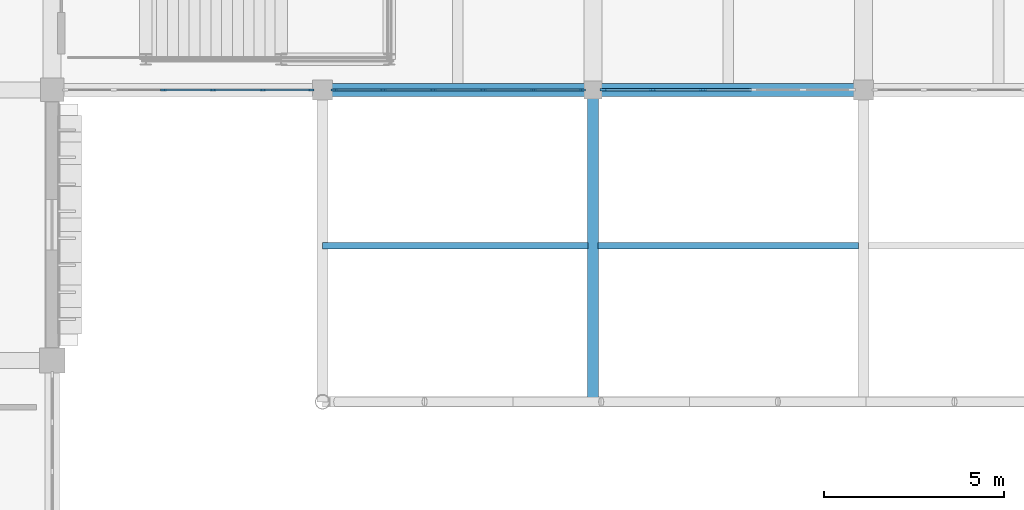
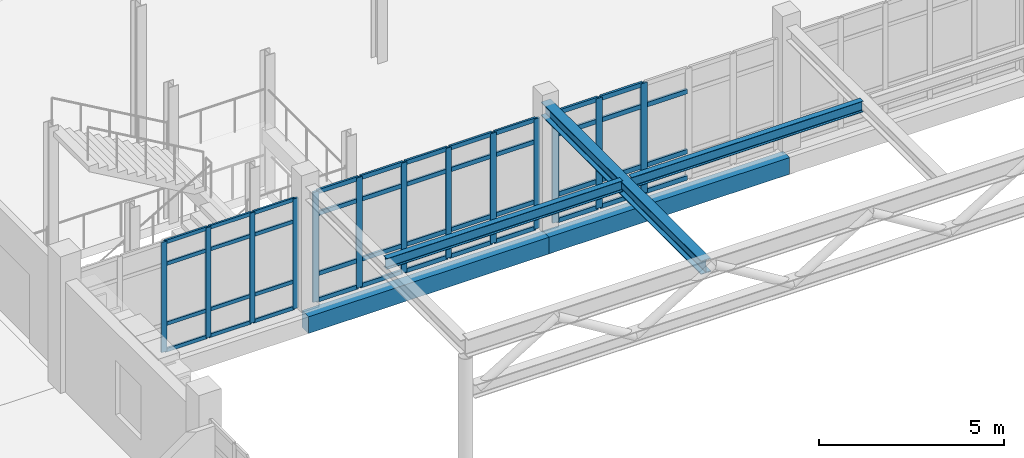
# One storey, part 27 of 128: 56 members, 5 beams, 3 elements without a shape of their own.
"""IFC4 building model written with IfcOpenShell, lengths in metres."""

from ifc_helpers import new_model, si_unit, direction, frame, origin, origin_2d, place, context, subcontext, project, spatial, rectangle, i_section, extrude, material, layer, layer_set, material_profile, profile_set, type_object, element, aggregate, save


model = new_model("IFC4")

# Units and contexts
model_context = context("Model", 3, precision=1e-05, world=origin(), true_north=direction((0.0, 1.0)))
body_context = subcontext(model_context, "Body", "Model", "MODEL_VIEW")
ifc_project = project(units=[si_unit("LENGTHUNIT", "METRE"), si_unit("AREAUNIT", "SQUARE_METRE"), si_unit("VOLUMEUNIT", "CUBIC_METRE"), si_unit("PLANEANGLEUNIT", "RADIAN"), si_unit("MASSUNIT", "GRAM", prefix="KILO")], contexts=[model_context])

# Site, building, storey
site_placement = place(None, origin())
site = spatial("IfcSite", under=ifc_project, at=site_placement, CompositionType="ELEMENT")
building_placement = place(site_placement, origin())
building = spatial("IfcBuilding", under=site, at=building_placement, Name="Dalvernix Boulevard General Hospital", CompositionType="ELEMENT")
storey_placement = place(building_placement, frame((0.0, 0.0, 4.800048828125)))
storey = spatial("IfcBuildingStorey", under=building, at=storey_placement, Name="L01", CompositionType="ELEMENT", Elevation=4.800048828125)

# Beams
ifc_material_1 = material(Name="Steel S355", Category="steel")
ifc_material_profile_1 = material_profile(ifc_material_1, i_section(OverallWidth=0.300048828125, OverallDepth=0.449951171875, WebThickness=0.013916015625, FlangeThickness=0.02587890625, FilletRadius=0.027099609375, at=origin_2d()), Name="HEB 450")
ifc_profile_set_1 = profile_set([ifc_material_profile_1], Name="Steel S355")
beam_type_1 = type_object("IfcBeamType", Name="BM-RB-03", PredefinedType="BEAM", material=ifc_profile_set_1)
beam_1_placement = place(storey_placement, frame((75.0, 22.5, 3.8798828125), z_axis=(0.0, -1.0, 0.0), x_axis=(1.0, 0.0, 0.0)))
element("IfcBeam", 1, at=beam_1_placement, inside=storey, type_object=beam_type_1, Name="Porte-cochere canopy girder 2", PredefinedType="BEAM", context=body_context, shape_type="SweptSolid", body=[
    extrude(i_section(OverallWidth=0.300048828125, OverallDepth=0.449951171875, WebThickness=0.013916015625, FlangeThickness=0.02587890625, FilletRadius=0.027099609375, at=origin_2d()), origin(), (0.0, 0.0, 1.0), 8.64990234375),
])
ifc_material_profile_2 = material_profile(ifc_material_1, i_section(OverallWidth=0.169921875, OverallDepth=0.360107421875, WebThickness=0.008056640625, FlangeThickness=0.0126953125, FilletRadius=0.01806640625, at=origin_2d()), Name="IPE 360")
ifc_profile_set_2 = profile_set([ifc_material_profile_2], Name="Steel S355")
beam_type_2 = type_object("IfcBeamType", Name="BM-RB-08", PredefinedType="BEAM", material=ifc_profile_set_2)
beam_2_placement = place(storey_placement, frame((67.5, 18.179931640625, 4.0), z_axis=(1.0, 0.0, 0.0), x_axis=(0.0, 1.0, 0.0)))
element("IfcBeam", 2, at=beam_2_placement, inside=storey, type_object=beam_type_2, Name="Porte-cochere canopy purlin 1", PredefinedType="BEAM", context=body_context, shape_type="SweptSolid", body=[
    extrude(i_section(OverallWidth=0.169921875, OverallDepth=0.360107421875, WebThickness=0.008056640625, FlangeThickness=0.0126953125, FilletRadius=0.01806640625, at=origin_2d()), origin(), (0.0, 0.0, 1.0), 7.35791015625),
])
beam_3_placement = place(storey_placement, frame((75.14208984375, 18.179931640625, 4.0), z_axis=(1.0, 0.0, 0.0), x_axis=(0.0, 1.0, 0.0)))
element("IfcBeam", 3, at=beam_3_placement, inside=storey, type_object=beam_type_2, Name="Porte-cochere canopy purlin 2", PredefinedType="BEAM", context=body_context, shape_type="SweptSolid", body=[
    extrude(i_section(OverallWidth=0.169921875, OverallDepth=0.360107421875, WebThickness=0.008056640625, FlangeThickness=0.0126953125, FilletRadius=0.01806640625, at=origin_2d()), origin(), (0.0, 0.0, 1.0), 7.2158203125),
])
ifc_material_2 = material(Name="Concrete C35/45", Category="concrete")
ifc_material_profile_3 = material_profile(ifc_material_2, rectangle(XDim=0.35009765625, YDim=0.550048828125, at=origin_2d()), Name="RCB 350x550")
ifc_profile_set_3 = profile_set([ifc_material_profile_3], Name="Concrete C35/45")
beam_type_3 = type_object("IfcBeamType", Name="BM-SB-01-E", PredefinedType="SPANDREL", material=ifc_profile_set_3)
for number, where, z_axis, x_axis, name in (
    (4, (67.5, 22.5, -0.574951171875), (1.0, 0.0, 0.0), (0.0, 1.0, 0.0), "L01 E-W girder D:10-11"),
    (5, (75.0, 22.5, -0.574951171875), (1.0, 0.0, 0.0), (0.0, 1.0, 0.0), "L01 E-W girder D:11-12"),
):
    element("IfcBeam", number, at=place(storey_placement, frame(where, z_axis=z_axis, x_axis=x_axis)), inside=storey, type_object=beam_type_3, Name=name, PredefinedType="SPANDREL", context=body_context, shape_type="SweptSolid", body=[
        extrude(rectangle(XDim=0.35009765625, YDim=0.550048828125, at=origin_2d()), origin(), (0.0, 0.0, 1.0), 7.5),
    ])

# Curtain wall, members
ifc_material_3 = material(Name="Thermally broken aluminium and solar-control glass curtain wall", Category="aluminium")
ifc_layer_1 = layer(ifc_material_3, 0.159912109375)
ifc_layer_set_1 = layer_set([ifc_layer_1], Name="Thermally broken aluminium and solar-control glass curtain wall (CW-CW-A-69x36)")
curtain_wall_type_1 = type_object("IfcCurtainWallType", Name="CW-CW-A-69x36", PredefinedType="USERDEFINED", material=ifc_layer_set_1)
curtain_wall_1_placement = place(storey_placement, origin())
curtain_wall_1 = element("IfcCurtainWall", 6, at=curtain_wall_1_placement, inside=storey, type_object=curtain_wall_type_1, Name="L01 curtain wall CW-A-69x36 8-3", ObjectType="GLAZED FACADE", PredefinedType="USERDEFINED")
ifc_material_4 = material(Name="Aluminium EN AW-6060", Category="aluminium")
ifc_material_profile_4 = material_profile(ifc_material_4, rectangle(XDim=0.06005859375, YDim=0.159912109375, at=origin_2d()), Name="ALU MULL 60x160")
ifc_profile_set_4 = profile_set([ifc_material_profile_4], Name="Aluminium EN AW-6060")
member_type_1 = type_object("IfcMemberType", Name="MEM-CW-M1", PredefinedType="MULLION", material=ifc_profile_set_4)
member_1_placement = place(storey_placement, frame((67.18505859375, 22.5, 0.0), z_axis=(0.0, 0.0, 1.0), x_axis=(0.0, -1.0, 0.0)))
member_1 = element("IfcMember", 7, at=member_1_placement, type_object=member_type_1, Name="CW-A-69x36 mullion 1", PredefinedType="MULLION", context=body_context, shape_type="SweptSolid", body=[
    extrude(rectangle(XDim=0.06005859375, YDim=0.159912109375, at=origin_2d()), origin(), (0.0, 0.0, 1.0), 3.6298828125),
])
member_2_placement = place(storey_placement, frame((65.839111328125, 22.5, 0.0), z_axis=(0.0, 0.0, 1.0), x_axis=(0.0, -1.0, 0.0)))
member_2 = element("IfcMember", 8, at=member_2_placement, type_object=member_type_1, Name="CW-A-69x36 mullion 2", PredefinedType="MULLION", context=body_context, shape_type="SweptSolid", body=[
    extrude(rectangle(XDim=0.06005859375, YDim=0.159912109375, at=origin_2d()), origin(), (0.0, 0.0, 1.0), 3.6298828125),
])
member_3_placement = place(storey_placement, frame((64.462890625, 22.5, 0.0), z_axis=(0.0, 0.0, 1.0), x_axis=(0.0, -1.0, 0.0)))
member_3 = element("IfcMember", 9, at=member_3_placement, type_object=member_type_1, Name="CW-A-69x36 mullion 3", PredefinedType="MULLION", context=body_context, shape_type="SweptSolid", body=[
    extrude(rectangle(XDim=0.06005859375, YDim=0.159912109375, at=origin_2d()), origin(), (0.0, 0.0, 1.0), 3.6298828125),
])
member_4_placement = place(storey_placement, frame((63.0869140625, 22.5, 0.0), z_axis=(0.0, 0.0, 1.0), x_axis=(0.0, -1.0, 0.0)))
member_4 = element("IfcMember", 10, at=member_4_placement, type_object=member_type_1, Name="CW-A-69x36 mullion 4", PredefinedType="MULLION", context=body_context, shape_type="SweptSolid", body=[
    extrude(rectangle(XDim=0.06005859375, YDim=0.159912109375, at=origin_2d()), origin(), (0.0, 0.0, 1.0), 3.6298828125),
])

ifc_layer_2 = layer(ifc_material_3, 0.179931640625)
ifc_layer_set_2 = layer_set([ifc_layer_2], Name="Thermally broken aluminium and solar-control glass curtain wall (CW-CW-B-70x36)")
curtain_wall_type_2 = type_object("IfcCurtainWallType", Name="CW-CW-B-70x36", PredefinedType="USERDEFINED", material=ifc_layer_set_2)
curtain_wall_2_placement = place(storey_placement, origin())
curtain_wall_2 = element("IfcCurtainWall", 11, at=curtain_wall_2_placement, inside=storey, type_object=curtain_wall_type_2, Name="L01 curtain wall CW-B-70x36 9-3", ObjectType="GLAZED FACADE", PredefinedType="USERDEFINED")
ifc_material_profile_5 = material_profile(ifc_material_4, rectangle(XDim=0.06494140625, YDim=0.179931640625, at=origin_2d()), Name="ALU MULL 65x180")
ifc_profile_set_5 = profile_set([ifc_material_profile_5], Name="Aluminium EN AW-6060")
member_type_2 = type_object("IfcMemberType", Name="MEM-CW-M2", PredefinedType="MULLION", material=ifc_profile_set_5)
member_5_placement = place(storey_placement, frame((74.70751953125, 22.5, 0.0), z_axis=(0.0, 0.0, 1.0), x_axis=(0.0, -1.0, 0.0)))
member_5 = element("IfcMember", 12, at=member_5_placement, type_object=member_type_2, Name="CW-B-70x36 mullion 1", PredefinedType="MULLION", context=body_context, shape_type="SweptSolid", body=[
    extrude(rectangle(XDim=0.06494140625, YDim=0.179931640625, at=origin_2d()), origin(), (0.0, 0.0, 1.0), 3.6298828125),
])
member_6_placement = place(storey_placement, frame((73.34912109375, 22.5, 0.0), z_axis=(0.0, 0.0, 1.0), x_axis=(0.0, -1.0, 0.0)))
member_6 = element("IfcMember", 13, at=member_6_placement, type_object=member_type_2, Name="CW-B-70x36 mullion 2", PredefinedType="MULLION", context=body_context, shape_type="SweptSolid", body=[
    extrude(rectangle(XDim=0.06494140625, YDim=0.179931640625, at=origin_2d()), origin(), (0.0, 0.0, 1.0), 3.6298828125),
])
member_7_placement = place(storey_placement, frame((71.9580078125, 22.5, 0.0), z_axis=(0.0, 0.0, 1.0), x_axis=(0.0, -1.0, 0.0)))
member_7 = element("IfcMember", 14, at=member_7_placement, type_object=member_type_2, Name="CW-B-70x36 mullion 3", PredefinedType="MULLION", context=body_context, shape_type="SweptSolid", body=[
    extrude(rectangle(XDim=0.06494140625, YDim=0.179931640625, at=origin_2d()), origin(), (0.0, 0.0, 1.0), 3.6298828125),
])
member_8_placement = place(storey_placement, frame((70.56689453125, 22.5, 0.0), z_axis=(0.0, 0.0, 1.0), x_axis=(0.0, -1.0, 0.0)))
member_8 = element("IfcMember", 15, at=member_8_placement, type_object=member_type_2, Name="CW-B-70x36 mullion 4", PredefinedType="MULLION", context=body_context, shape_type="SweptSolid", body=[
    extrude(rectangle(XDim=0.06494140625, YDim=0.179931640625, at=origin_2d()), origin(), (0.0, 0.0, 1.0), 3.6298828125),
])
member_9_placement = place(storey_placement, frame((69.176025390625, 22.5, 0.0), z_axis=(0.0, 0.0, 1.0), x_axis=(0.0, -1.0, 0.0)))
member_9 = element("IfcMember", 16, at=member_9_placement, type_object=member_type_2, Name="CW-B-70x36 mullion 5", PredefinedType="MULLION", context=body_context, shape_type="SweptSolid", body=[
    extrude(rectangle(XDim=0.06494140625, YDim=0.179931640625, at=origin_2d()), origin(), (0.0, 0.0, 1.0), 3.6298828125),
])
member_10_placement = place(storey_placement, frame((67.8173828125, 22.5, 0.0), z_axis=(0.0, 0.0, 1.0), x_axis=(0.0, -1.0, 0.0)))
member_10 = element("IfcMember", 17, at=member_10_placement, type_object=member_type_2, Name="CW-B-70x36 mullion 6", PredefinedType="MULLION", context=body_context, shape_type="SweptSolid", body=[
    extrude(rectangle(XDim=0.06494140625, YDim=0.179931640625, at=origin_2d()), origin(), (0.0, 0.0, 1.0), 3.6298828125),
])

ifc_layer_3 = layer(ifc_material_3, 0.199951171875)
ifc_layer_set_3 = layer_set([ifc_layer_3], Name="Thermally broken aluminium and solar-control glass curtain wall (CW-CW-C-70x36)")
curtain_wall_type_3 = type_object("IfcCurtainWallType", Name="CW-CW-C-70x36", PredefinedType="USERDEFINED", material=ifc_layer_set_3)
curtain_wall_3_placement = place(storey_placement, origin())
curtain_wall_3 = element("IfcCurtainWall", 18, at=curtain_wall_3_placement, inside=storey, type_object=curtain_wall_type_3, Name="L01 curtain wall CW-C-70x36 10-3", ObjectType="GLAZED FACADE", PredefinedType="USERDEFINED")
ifc_material_profile_6 = material_profile(ifc_material_4, rectangle(XDim=0.070068359375, YDim=0.199951171875, at=origin_2d()), Name="ALU MULL 70x200")
ifc_profile_set_6 = profile_set([ifc_material_profile_6], Name="Aluminium EN AW-6060")
member_type_3 = type_object("IfcMemberType", Name="MEM-CW-M3", PredefinedType="MULLION", material=ifc_profile_set_6)
member_11_placement = place(storey_placement, frame((78.0419921875, 22.5, 0.0), z_axis=(0.0, 0.0, 1.0), x_axis=(0.0, -1.0, 0.0)))
member_11 = element("IfcMember", 19, at=member_11_placement, type_object=member_type_3, Name="CW-C-70x36 mullion 4", PredefinedType="MULLION", context=body_context, shape_type="SweptSolid", body=[
    extrude(rectangle(XDim=0.070068359375, YDim=0.199951171875, at=origin_2d()), origin(), (0.0, 0.0, 1.0), 3.6298828125),
])
member_12_placement = place(storey_placement, frame((76.65087890625, 22.5, 0.0), z_axis=(0.0, 0.0, 1.0), x_axis=(0.0, -1.0, 0.0)))
member_12 = element("IfcMember", 20, at=member_12_placement, type_object=member_type_3, Name="CW-C-70x36 mullion 5", PredefinedType="MULLION", context=body_context, shape_type="SweptSolid", body=[
    extrude(rectangle(XDim=0.070068359375, YDim=0.199951171875, at=origin_2d()), origin(), (0.0, 0.0, 1.0), 3.6298828125),
])
member_13_placement = place(storey_placement, frame((75.294921875, 22.5, 0.0), z_axis=(0.0, 0.0, 1.0), x_axis=(0.0, -1.0, 0.0)))
member_13 = element("IfcMember", 21, at=member_13_placement, type_object=member_type_3, Name="CW-C-70x36 mullion 6", PredefinedType="MULLION", context=body_context, shape_type="SweptSolid", body=[
    extrude(rectangle(XDim=0.070068359375, YDim=0.199951171875, at=origin_2d()), origin(), (0.0, 0.0, 1.0), 3.6298828125),
])

# Member
ifc_material_profile_7 = material_profile(ifc_material_4, rectangle(XDim=0.06005859375, YDim=0.1201171875, at=origin_2d()), Name="ALU TRAN 60x120")
ifc_profile_set_7 = profile_set([ifc_material_profile_7], Name="Aluminium EN AW-6060")
member_type_4 = type_object("IfcMemberType", Name="MEM-CW-T1", PredefinedType="USERDEFINED", material=ifc_profile_set_7)
member_14_placement = place(storey_placement, frame((67.155029296875, 22.5, 0.030029296875), z_axis=(-1.0, 0.0, 0.0), x_axis=(0.0, -1.0, 0.0)))
member_14 = element("IfcMember", 22, at=member_14_placement, type_object=member_type_4, Name="CW-A-69x36 transom 1.1", ObjectType="TRANSOM", PredefinedType="USERDEFINED", context=body_context, shape_type="SweptSolid", body=[
    extrude(rectangle(XDim=0.06005859375, YDim=0.1201171875, at=origin_2d()), origin(), (0.0, 0.0, 1.0), 1.2861328125),
])

member_15_placement = place(storey_placement, frame((67.155029296875, 22.5, 0.89990234375), z_axis=(-1.0, 0.0, 0.0), x_axis=(0.0, -1.0, 0.0)))
member_15 = element("IfcMember", 23, at=member_15_placement, type_object=member_type_4, Name="CW-A-69x36 transom 1.2", ObjectType="TRANSOM", PredefinedType="USERDEFINED", context=body_context, shape_type="SweptSolid", body=[
    extrude(rectangle(XDim=0.06005859375, YDim=0.1201171875, at=origin_2d()), origin(), (0.0, 0.0, 1.0), 1.2861328125),
])

member_16_placement = place(storey_placement, frame((67.155029296875, 22.5, 2.8798828125), z_axis=(-1.0, 0.0, 0.0), x_axis=(0.0, -1.0, 0.0)))
member_16 = element("IfcMember", 24, at=member_16_placement, type_object=member_type_4, Name="CW-A-69x36 transom 1.3", ObjectType="TRANSOM", PredefinedType="USERDEFINED", context=body_context, shape_type="SweptSolid", body=[
    extrude(rectangle(XDim=0.06005859375, YDim=0.1201171875, at=origin_2d()), origin(), (0.0, 0.0, 1.0), 1.2861328125),
])

member_17_placement = place(storey_placement, frame((67.155029296875, 22.5, 3.599853515625), z_axis=(-1.0, 0.0, 0.0), x_axis=(0.0, -1.0, 0.0)))
member_17 = element("IfcMember", 25, at=member_17_placement, type_object=member_type_4, Name="CW-A-69x36 transom 1.4", ObjectType="TRANSOM", PredefinedType="USERDEFINED", context=body_context, shape_type="SweptSolid", body=[
    extrude(rectangle(XDim=0.06005859375, YDim=0.1201171875, at=origin_2d()), origin(), (0.0, 0.0, 1.0), 1.2861328125),
])

member_18_placement = place(storey_placement, frame((65.80908203125, 22.5, 0.030029296875), z_axis=(-1.0, 0.0, 0.0), x_axis=(0.0, -1.0, 0.0)))
member_18 = element("IfcMember", 26, at=member_18_placement, type_object=member_type_4, Name="CW-A-69x36 transom 2.1", ObjectType="TRANSOM", PredefinedType="USERDEFINED", context=body_context, shape_type="SweptSolid", body=[
    extrude(rectangle(XDim=0.06005859375, YDim=0.1201171875, at=origin_2d()), origin(), (0.0, 0.0, 1.0), 1.316162109375),
])

member_19_placement = place(storey_placement, frame((65.80908203125, 22.5, 0.89990234375), z_axis=(-1.0, 0.0, 0.0), x_axis=(0.0, -1.0, 0.0)))
member_19 = element("IfcMember", 27, at=member_19_placement, type_object=member_type_4, Name="CW-A-69x36 transom 2.2", ObjectType="TRANSOM", PredefinedType="USERDEFINED", context=body_context, shape_type="SweptSolid", body=[
    extrude(rectangle(XDim=0.06005859375, YDim=0.1201171875, at=origin_2d()), origin(), (0.0, 0.0, 1.0), 1.316162109375),
])

member_20_placement = place(storey_placement, frame((65.80908203125, 22.5, 2.8798828125), z_axis=(-1.0, 0.0, 0.0), x_axis=(0.0, -1.0, 0.0)))
member_20 = element("IfcMember", 28, at=member_20_placement, type_object=member_type_4, Name="CW-A-69x36 transom 2.3", ObjectType="TRANSOM", PredefinedType="USERDEFINED", context=body_context, shape_type="SweptSolid", body=[
    extrude(rectangle(XDim=0.06005859375, YDim=0.1201171875, at=origin_2d()), origin(), (0.0, 0.0, 1.0), 1.316162109375),
])

member_21_placement = place(storey_placement, frame((65.80908203125, 22.5, 3.599853515625), z_axis=(-1.0, 0.0, 0.0), x_axis=(0.0, -1.0, 0.0)))
member_21 = element("IfcMember", 29, at=member_21_placement, type_object=member_type_4, Name="CW-A-69x36 transom 2.4", ObjectType="TRANSOM", PredefinedType="USERDEFINED", context=body_context, shape_type="SweptSolid", body=[
    extrude(rectangle(XDim=0.06005859375, YDim=0.1201171875, at=origin_2d()), origin(), (0.0, 0.0, 1.0), 1.316162109375),
])

member_22_placement = place(storey_placement, frame((64.43310546875, 22.5, 0.030029296875), z_axis=(-1.0, 0.0, 0.0), x_axis=(0.0, -1.0, 0.0)))
member_22 = element("IfcMember", 30, at=member_22_placement, type_object=member_type_4, Name="CW-A-69x36 transom 3.1", ObjectType="TRANSOM", PredefinedType="USERDEFINED", context=body_context, shape_type="SweptSolid", body=[
    extrude(rectangle(XDim=0.06005859375, YDim=0.1201171875, at=origin_2d()), origin(), (0.0, 0.0, 1.0), 1.316162109375),
])

member_23_placement = place(storey_placement, frame((64.43310546875, 22.5, 0.89990234375), z_axis=(-1.0, 0.0, 0.0), x_axis=(0.0, -1.0, 0.0)))
member_23 = element("IfcMember", 31, at=member_23_placement, type_object=member_type_4, Name="CW-A-69x36 transom 3.2", ObjectType="TRANSOM", PredefinedType="USERDEFINED", context=body_context, shape_type="SweptSolid", body=[
    extrude(rectangle(XDim=0.06005859375, YDim=0.1201171875, at=origin_2d()), origin(), (0.0, 0.0, 1.0), 1.316162109375),
])

member_24_placement = place(storey_placement, frame((64.43310546875, 22.5, 2.8798828125), z_axis=(-1.0, 0.0, 0.0), x_axis=(0.0, -1.0, 0.0)))
member_24 = element("IfcMember", 32, at=member_24_placement, type_object=member_type_4, Name="CW-A-69x36 transom 3.3", ObjectType="TRANSOM", PredefinedType="USERDEFINED", context=body_context, shape_type="SweptSolid", body=[
    extrude(rectangle(XDim=0.06005859375, YDim=0.1201171875, at=origin_2d()), origin(), (0.0, 0.0, 1.0), 1.316162109375),
])

member_25_placement = place(storey_placement, frame((64.43310546875, 22.5, 3.599853515625), z_axis=(-1.0, 0.0, 0.0), x_axis=(0.0, -1.0, 0.0)))
member_25 = element("IfcMember", 33, at=member_25_placement, type_object=member_type_4, Name="CW-A-69x36 transom 3.4", ObjectType="TRANSOM", PredefinedType="USERDEFINED", context=body_context, shape_type="SweptSolid", body=[
    extrude(rectangle(XDim=0.06005859375, YDim=0.1201171875, at=origin_2d()), origin(), (0.0, 0.0, 1.0), 1.316162109375),
])

aggregate(curtain_wall_1, [member_1, member_2, member_3, member_4, member_14, member_15, member_16, member_17, member_18, member_19, member_20, member_21, member_22, member_23, member_24, member_25])

ifc_material_profile_8 = material_profile(ifc_material_4, rectangle(XDim=0.06494140625, YDim=0.139892578125, at=origin_2d()), Name="ALU TRAN 65x140")
ifc_profile_set_8 = profile_set([ifc_material_profile_8], Name="Aluminium EN AW-6060")
member_type_5 = type_object("IfcMemberType", Name="MEM-CW-T2", PredefinedType="USERDEFINED", material=ifc_profile_set_8)
member_26_placement = place(storey_placement, frame((74.675048828125, 22.5, 0.032470703125), z_axis=(-1.0, 0.0, 0.0), x_axis=(0.0, -1.0, 0.0)))
member_26 = element("IfcMember", 34, at=member_26_placement, type_object=member_type_5, Name="CW-B-70x36 transom 1.1", ObjectType="TRANSOM", PredefinedType="USERDEFINED", context=body_context, shape_type="SweptSolid", body=[
    extrude(rectangle(XDim=0.06494140625, YDim=0.139892578125, at=origin_2d()), origin(), (0.0, 0.0, 1.0), 1.29345703125),
])

member_27_placement = place(storey_placement, frame((74.675048828125, 22.5, 0.89990234375), z_axis=(-1.0, 0.0, 0.0), x_axis=(0.0, -1.0, 0.0)))
member_27 = element("IfcMember", 35, at=member_27_placement, type_object=member_type_5, Name="CW-B-70x36 transom 1.2", ObjectType="TRANSOM", PredefinedType="USERDEFINED", context=body_context, shape_type="SweptSolid", body=[
    extrude(rectangle(XDim=0.06494140625, YDim=0.139892578125, at=origin_2d()), origin(), (0.0, 0.0, 1.0), 1.29345703125),
])

member_28_placement = place(storey_placement, frame((74.675048828125, 22.5, 2.8798828125), z_axis=(-1.0, 0.0, 0.0), x_axis=(0.0, -1.0, 0.0)))
member_28 = element("IfcMember", 36, at=member_28_placement, type_object=member_type_5, Name="CW-B-70x36 transom 1.3", ObjectType="TRANSOM", PredefinedType="USERDEFINED", context=body_context, shape_type="SweptSolid", body=[
    extrude(rectangle(XDim=0.06494140625, YDim=0.139892578125, at=origin_2d()), origin(), (0.0, 0.0, 1.0), 1.29345703125),
])

member_29_placement = place(storey_placement, frame((74.675048828125, 22.5, 3.597412109375), z_axis=(-1.0, 0.0, 0.0), x_axis=(0.0, -1.0, 0.0)))
member_29 = element("IfcMember", 37, at=member_29_placement, type_object=member_type_5, Name="CW-B-70x36 transom 1.4", ObjectType="TRANSOM", PredefinedType="USERDEFINED", context=body_context, shape_type="SweptSolid", body=[
    extrude(rectangle(XDim=0.06494140625, YDim=0.139892578125, at=origin_2d()), origin(), (0.0, 0.0, 1.0), 1.29345703125),
])

member_30_placement = place(storey_placement, frame((73.31640625, 22.5, 0.032470703125), z_axis=(-1.0, 0.0, 0.0), x_axis=(0.0, -1.0, 0.0)))
member_30 = element("IfcMember", 38, at=member_30_placement, type_object=member_type_5, Name="CW-B-70x36 transom 2.1", ObjectType="TRANSOM", PredefinedType="USERDEFINED", context=body_context, shape_type="SweptSolid", body=[
    extrude(rectangle(XDim=0.06494140625, YDim=0.139892578125, at=origin_2d()), origin(), (0.0, 0.0, 1.0), 1.325927734375),
])

member_31_placement = place(storey_placement, frame((73.31640625, 22.5, 0.89990234375), z_axis=(-1.0, 0.0, 0.0), x_axis=(0.0, -1.0, 0.0)))
member_31 = element("IfcMember", 39, at=member_31_placement, type_object=member_type_5, Name="CW-B-70x36 transom 2.2", ObjectType="TRANSOM", PredefinedType="USERDEFINED", context=body_context, shape_type="SweptSolid", body=[
    extrude(rectangle(XDim=0.06494140625, YDim=0.139892578125, at=origin_2d()), origin(), (0.0, 0.0, 1.0), 1.325927734375),
])

member_32_placement = place(storey_placement, frame((73.31640625, 22.5, 2.8798828125), z_axis=(-1.0, 0.0, 0.0), x_axis=(0.0, -1.0, 0.0)))
member_32 = element("IfcMember", 40, at=member_32_placement, type_object=member_type_5, Name="CW-B-70x36 transom 2.3", ObjectType="TRANSOM", PredefinedType="USERDEFINED", context=body_context, shape_type="SweptSolid", body=[
    extrude(rectangle(XDim=0.06494140625, YDim=0.139892578125, at=origin_2d()), origin(), (0.0, 0.0, 1.0), 1.325927734375),
])

member_33_placement = place(storey_placement, frame((73.31640625, 22.5, 3.597412109375), z_axis=(-1.0, 0.0, 0.0), x_axis=(0.0, -1.0, 0.0)))
member_33 = element("IfcMember", 41, at=member_33_placement, type_object=member_type_5, Name="CW-B-70x36 transom 2.4", ObjectType="TRANSOM", PredefinedType="USERDEFINED", context=body_context, shape_type="SweptSolid", body=[
    extrude(rectangle(XDim=0.06494140625, YDim=0.139892578125, at=origin_2d()), origin(), (0.0, 0.0, 1.0), 1.325927734375),
])

member_34_placement = place(storey_placement, frame((71.925537109375, 22.5, 0.032470703125), z_axis=(-1.0, 0.0, 0.0), x_axis=(0.0, -1.0, 0.0)))
member_34 = element("IfcMember", 42, at=member_34_placement, type_object=member_type_5, Name="CW-B-70x36 transom 3.1", ObjectType="TRANSOM", PredefinedType="USERDEFINED", context=body_context, shape_type="SweptSolid", body=[
    extrude(rectangle(XDim=0.06494140625, YDim=0.139892578125, at=origin_2d()), origin(), (0.0, 0.0, 1.0), 1.325927734375),
])

member_35_placement = place(storey_placement, frame((71.925537109375, 22.5, 0.89990234375), z_axis=(-1.0, 0.0, 0.0), x_axis=(0.0, -1.0, 0.0)))
member_35 = element("IfcMember", 43, at=member_35_placement, type_object=member_type_5, Name="CW-B-70x36 transom 3.2", ObjectType="TRANSOM", PredefinedType="USERDEFINED", context=body_context, shape_type="SweptSolid", body=[
    extrude(rectangle(XDim=0.06494140625, YDim=0.139892578125, at=origin_2d()), origin(), (0.0, 0.0, 1.0), 1.325927734375),
])

member_36_placement = place(storey_placement, frame((71.925537109375, 22.5, 2.8798828125), z_axis=(-1.0, 0.0, 0.0), x_axis=(0.0, -1.0, 0.0)))
member_36 = element("IfcMember", 44, at=member_36_placement, type_object=member_type_5, Name="CW-B-70x36 transom 3.3", ObjectType="TRANSOM", PredefinedType="USERDEFINED", context=body_context, shape_type="SweptSolid", body=[
    extrude(rectangle(XDim=0.06494140625, YDim=0.139892578125, at=origin_2d()), origin(), (0.0, 0.0, 1.0), 1.325927734375),
])

member_37_placement = place(storey_placement, frame((71.925537109375, 22.5, 3.597412109375), z_axis=(-1.0, 0.0, 0.0), x_axis=(0.0, -1.0, 0.0)))
member_37 = element("IfcMember", 45, at=member_37_placement, type_object=member_type_5, Name="CW-B-70x36 transom 3.4", ObjectType="TRANSOM", PredefinedType="USERDEFINED", context=body_context, shape_type="SweptSolid", body=[
    extrude(rectangle(XDim=0.06494140625, YDim=0.139892578125, at=origin_2d()), origin(), (0.0, 0.0, 1.0), 1.325927734375),
])

member_38_placement = place(storey_placement, frame((70.534423828125, 22.5, 0.032470703125), z_axis=(-1.0, 0.0, 0.0), x_axis=(0.0, -1.0, 0.0)))
member_38 = element("IfcMember", 46, at=member_38_placement, type_object=member_type_5, Name="CW-B-70x36 transom 4.1", ObjectType="TRANSOM", PredefinedType="USERDEFINED", context=body_context, shape_type="SweptSolid", body=[
    extrude(rectangle(XDim=0.06494140625, YDim=0.139892578125, at=origin_2d()), origin(), (0.0, 0.0, 1.0), 1.325927734375),
])

member_39_placement = place(storey_placement, frame((70.534423828125, 22.5, 0.89990234375), z_axis=(-1.0, 0.0, 0.0), x_axis=(0.0, -1.0, 0.0)))
member_39 = element("IfcMember", 47, at=member_39_placement, type_object=member_type_5, Name="CW-B-70x36 transom 4.2", ObjectType="TRANSOM", PredefinedType="USERDEFINED", context=body_context, shape_type="SweptSolid", body=[
    extrude(rectangle(XDim=0.06494140625, YDim=0.139892578125, at=origin_2d()), origin(), (0.0, 0.0, 1.0), 1.325927734375),
])

member_40_placement = place(storey_placement, frame((70.534423828125, 22.5, 2.8798828125), z_axis=(-1.0, 0.0, 0.0), x_axis=(0.0, -1.0, 0.0)))
member_40 = element("IfcMember", 48, at=member_40_placement, type_object=member_type_5, Name="CW-B-70x36 transom 4.3", ObjectType="TRANSOM", PredefinedType="USERDEFINED", context=body_context, shape_type="SweptSolid", body=[
    extrude(rectangle(XDim=0.06494140625, YDim=0.139892578125, at=origin_2d()), origin(), (0.0, 0.0, 1.0), 1.325927734375),
])

member_41_placement = place(storey_placement, frame((70.534423828125, 22.5, 3.597412109375), z_axis=(-1.0, 0.0, 0.0), x_axis=(0.0, -1.0, 0.0)))
member_41 = element("IfcMember", 49, at=member_41_placement, type_object=member_type_5, Name="CW-B-70x36 transom 4.4", ObjectType="TRANSOM", PredefinedType="USERDEFINED", context=body_context, shape_type="SweptSolid", body=[
    extrude(rectangle(XDim=0.06494140625, YDim=0.139892578125, at=origin_2d()), origin(), (0.0, 0.0, 1.0), 1.325927734375),
])

member_42_placement = place(storey_placement, frame((69.1435546875, 22.5, 0.032470703125), z_axis=(-1.0, 0.0, 0.0), x_axis=(0.0, -1.0, 0.0)))
member_42 = element("IfcMember", 50, at=member_42_placement, type_object=member_type_5, Name="CW-B-70x36 transom 5.1", ObjectType="TRANSOM", PredefinedType="USERDEFINED", context=body_context, shape_type="SweptSolid", body=[
    extrude(rectangle(XDim=0.06494140625, YDim=0.139892578125, at=origin_2d()), origin(), (0.0, 0.0, 1.0), 1.29345703125),
])

member_43_placement = place(storey_placement, frame((69.1435546875, 22.5, 0.89990234375), z_axis=(-1.0, 0.0, 0.0), x_axis=(0.0, -1.0, 0.0)))
member_43 = element("IfcMember", 51, at=member_43_placement, type_object=member_type_5, Name="CW-B-70x36 transom 5.2", ObjectType="TRANSOM", PredefinedType="USERDEFINED", context=body_context, shape_type="SweptSolid", body=[
    extrude(rectangle(XDim=0.06494140625, YDim=0.139892578125, at=origin_2d()), origin(), (0.0, 0.0, 1.0), 1.29345703125),
])

member_44_placement = place(storey_placement, frame((69.1435546875, 22.5, 2.8798828125), z_axis=(-1.0, 0.0, 0.0), x_axis=(0.0, -1.0, 0.0)))
member_44 = element("IfcMember", 52, at=member_44_placement, type_object=member_type_5, Name="CW-B-70x36 transom 5.3", ObjectType="TRANSOM", PredefinedType="USERDEFINED", context=body_context, shape_type="SweptSolid", body=[
    extrude(rectangle(XDim=0.06494140625, YDim=0.139892578125, at=origin_2d()), origin(), (0.0, 0.0, 1.0), 1.29345703125),
])

member_45_placement = place(storey_placement, frame((69.1435546875, 22.5, 3.597412109375), z_axis=(-1.0, 0.0, 0.0), x_axis=(0.0, -1.0, 0.0)))
member_45 = element("IfcMember", 53, at=member_45_placement, type_object=member_type_5, Name="CW-B-70x36 transom 5.4", ObjectType="TRANSOM", PredefinedType="USERDEFINED", context=body_context, shape_type="SweptSolid", body=[
    extrude(rectangle(XDim=0.06494140625, YDim=0.139892578125, at=origin_2d()), origin(), (0.0, 0.0, 1.0), 1.29345703125),
])

aggregate(curtain_wall_2, [member_5, member_6, member_7, member_8, member_9, member_10, member_26, member_27, member_28, member_29, member_30, member_31, member_32, member_33, member_34, member_35, member_36, member_37, member_38, member_39, member_40, member_41, member_42, member_43, member_44, member_45])

ifc_material_profile_9 = material_profile(ifc_material_4, rectangle(XDim=0.070068359375, YDim=0.14990234375, at=origin_2d()), Name="ALU TRAN 70x150")
ifc_profile_set_9 = profile_set([ifc_material_profile_9], Name="Aluminium EN AW-6060")
member_type_6 = type_object("IfcMemberType", Name="MEM-CW-T3", PredefinedType="USERDEFINED", material=ifc_profile_set_9)
member_46_placement = place(storey_placement, frame((79.39794921875, 22.5, 0.034912109375), z_axis=(-1.0, 0.0, 0.0), x_axis=(0.0, -1.0, 0.0)))
member_46 = element("IfcMember", 54, at=member_46_placement, type_object=member_type_6, Name="CW-C-70x36 transom 3.1", ObjectType="TRANSOM", PredefinedType="USERDEFINED", context=body_context, shape_type="SweptSolid", body=[
    extrude(rectangle(XDim=0.070068359375, YDim=0.14990234375, at=origin_2d()), origin(), (0.0, 0.0, 1.0), 1.321044921875),
])

member_47_placement = place(storey_placement, frame((79.39794921875, 22.5, 0.89990234375), z_axis=(-1.0, 0.0, 0.0), x_axis=(0.0, -1.0, 0.0)))
member_47 = element("IfcMember", 55, at=member_47_placement, type_object=member_type_6, Name="CW-C-70x36 transom 3.2", ObjectType="TRANSOM", PredefinedType="USERDEFINED", context=body_context, shape_type="SweptSolid", body=[
    extrude(rectangle(XDim=0.070068359375, YDim=0.14990234375, at=origin_2d()), origin(), (0.0, 0.0, 1.0), 1.321044921875),
])

member_48_placement = place(storey_placement, frame((79.39794921875, 22.5, 2.8798828125), z_axis=(-1.0, 0.0, 0.0), x_axis=(0.0, -1.0, 0.0)))
member_48 = element("IfcMember", 56, at=member_48_placement, type_object=member_type_6, Name="CW-C-70x36 transom 3.3", ObjectType="TRANSOM", PredefinedType="USERDEFINED", context=body_context, shape_type="SweptSolid", body=[
    extrude(rectangle(XDim=0.070068359375, YDim=0.14990234375, at=origin_2d()), origin(), (0.0, 0.0, 1.0), 1.321044921875),
])

member_49_placement = place(storey_placement, frame((78.007080078125, 22.5, 0.034912109375), z_axis=(-1.0, 0.0, 0.0), x_axis=(0.0, -1.0, 0.0)))
member_49 = element("IfcMember", 57, at=member_49_placement, type_object=member_type_6, Name="CW-C-70x36 transom 4.1", ObjectType="TRANSOM", PredefinedType="USERDEFINED", context=body_context, shape_type="SweptSolid", body=[
    extrude(rectangle(XDim=0.070068359375, YDim=0.14990234375, at=origin_2d()), origin(), (0.0, 0.0, 1.0), 1.321044921875),
])

member_50_placement = place(storey_placement, frame((78.007080078125, 22.5, 0.89990234375), z_axis=(-1.0, 0.0, 0.0), x_axis=(0.0, -1.0, 0.0)))
member_50 = element("IfcMember", 58, at=member_50_placement, type_object=member_type_6, Name="CW-C-70x36 transom 4.2", ObjectType="TRANSOM", PredefinedType="USERDEFINED", context=body_context, shape_type="SweptSolid", body=[
    extrude(rectangle(XDim=0.070068359375, YDim=0.14990234375, at=origin_2d()), origin(), (0.0, 0.0, 1.0), 1.321044921875),
])

member_51_placement = place(storey_placement, frame((78.007080078125, 22.5, 2.8798828125), z_axis=(-1.0, 0.0, 0.0), x_axis=(0.0, -1.0, 0.0)))
member_51 = element("IfcMember", 59, at=member_51_placement, type_object=member_type_6, Name="CW-C-70x36 transom 4.3", ObjectType="TRANSOM", PredefinedType="USERDEFINED", context=body_context, shape_type="SweptSolid", body=[
    extrude(rectangle(XDim=0.070068359375, YDim=0.14990234375, at=origin_2d()), origin(), (0.0, 0.0, 1.0), 1.321044921875),
])

member_52_placement = place(storey_placement, frame((78.007080078125, 22.5, 3.594970703125), z_axis=(-1.0, 0.0, 0.0), x_axis=(0.0, -1.0, 0.0)))
member_52 = element("IfcMember", 60, at=member_52_placement, type_object=member_type_6, Name="CW-C-70x36 transom 4.4", ObjectType="TRANSOM", PredefinedType="USERDEFINED", context=body_context, shape_type="SweptSolid", body=[
    extrude(rectangle(XDim=0.070068359375, YDim=0.14990234375, at=origin_2d()), origin(), (0.0, 0.0, 1.0), 1.321044921875),
])

member_53_placement = place(storey_placement, frame((76.615966796875, 22.5, 0.034912109375), z_axis=(-1.0, 0.0, 0.0), x_axis=(0.0, -1.0, 0.0)))
member_53 = element("IfcMember", 61, at=member_53_placement, type_object=member_type_6, Name="CW-C-70x36 transom 5.1", ObjectType="TRANSOM", PredefinedType="USERDEFINED", context=body_context, shape_type="SweptSolid", body=[
    extrude(rectangle(XDim=0.070068359375, YDim=0.14990234375, at=origin_2d()), origin(), (0.0, 0.0, 1.0), 1.285888671875),
])

member_54_placement = place(storey_placement, frame((76.615966796875, 22.5, 0.89990234375), z_axis=(-1.0, 0.0, 0.0), x_axis=(0.0, -1.0, 0.0)))
member_54 = element("IfcMember", 62, at=member_54_placement, type_object=member_type_6, Name="CW-C-70x36 transom 5.2", ObjectType="TRANSOM", PredefinedType="USERDEFINED", context=body_context, shape_type="SweptSolid", body=[
    extrude(rectangle(XDim=0.070068359375, YDim=0.14990234375, at=origin_2d()), origin(), (0.0, 0.0, 1.0), 1.285888671875),
])

member_55_placement = place(storey_placement, frame((76.615966796875, 22.5, 2.8798828125), z_axis=(-1.0, 0.0, 0.0), x_axis=(0.0, -1.0, 0.0)))
member_55 = element("IfcMember", 63, at=member_55_placement, type_object=member_type_6, Name="CW-C-70x36 transom 5.3", ObjectType="TRANSOM", PredefinedType="USERDEFINED", context=body_context, shape_type="SweptSolid", body=[
    extrude(rectangle(XDim=0.070068359375, YDim=0.14990234375, at=origin_2d()), origin(), (0.0, 0.0, 1.0), 1.285888671875),
])

member_56_placement = place(storey_placement, frame((76.615966796875, 22.5, 3.594970703125), z_axis=(-1.0, 0.0, 0.0), x_axis=(0.0, -1.0, 0.0)))
member_56 = element("IfcMember", 64, at=member_56_placement, type_object=member_type_6, Name="CW-C-70x36 transom 5.4", ObjectType="TRANSOM", PredefinedType="USERDEFINED", context=body_context, shape_type="SweptSolid", body=[
    extrude(rectangle(XDim=0.070068359375, YDim=0.14990234375, at=origin_2d()), origin(), (0.0, 0.0, 1.0), 1.285888671875),
])

aggregate(curtain_wall_3, [member_11, member_12, member_13, member_46, member_47, member_48, member_49, member_50, member_51, member_52, member_53, member_54, member_55, member_56])

save(model, "model.ifc")
